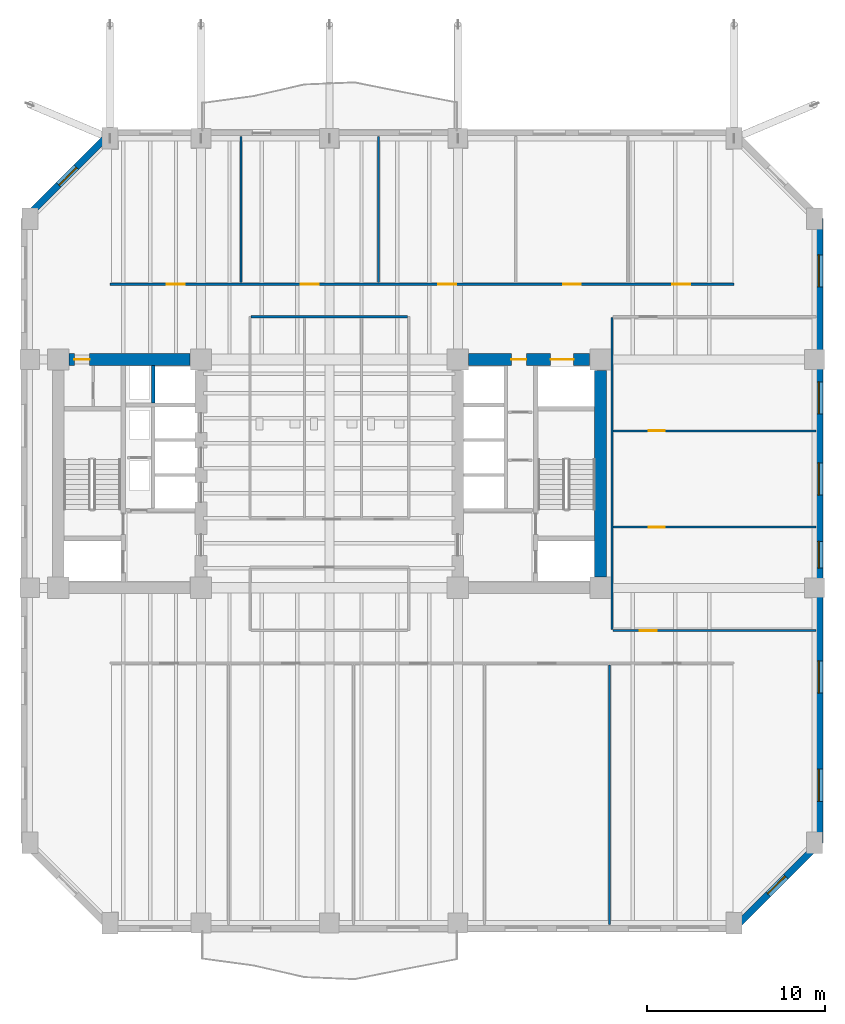
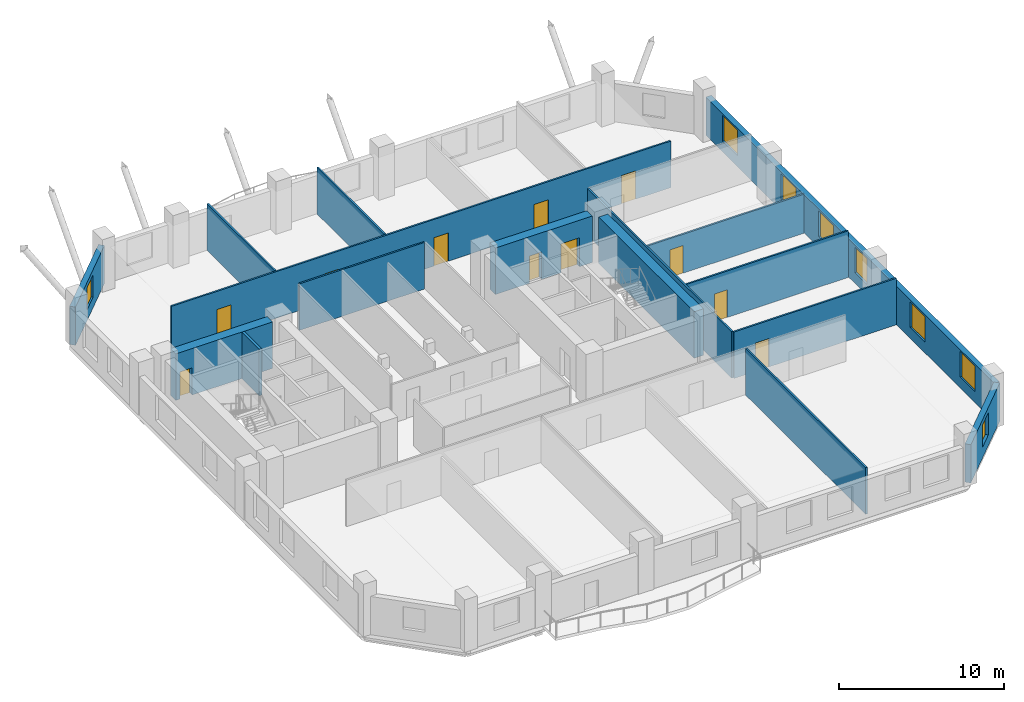
# One storey, part 7 of 12: 16 walls, 11 doors, 8 windows, 19 openings.
"""IFC4 building model written with IfcOpenShell, lengths in metres."""

from ifc_helpers import new_model, si_unit, direction, frame, frame_2d, origin, place, context, subcontext, project, spatial, rectangle, extrude, material, layer, layer_set, type_object, element, fill, save


model = new_model("IFC4")

# Units and contexts
model_context = context("Model", 3, precision=1e-05, world=origin(), true_north=direction((0.0, 1.0)))
body_context = subcontext(model_context, "Body", "Model", "MODEL_VIEW")
ifc_project = project(units=[si_unit("LENGTHUNIT", "METRE"), si_unit("AREAUNIT", "SQUARE_METRE"), si_unit("VOLUMEUNIT", "CUBIC_METRE"), si_unit("PLANEANGLEUNIT", "RADIAN"), si_unit("MASSUNIT", "GRAM", prefix="KILO")], contexts=[model_context])

# Site, building, storey
site_placement = place(None, origin())
site = spatial("IfcSite", under=ifc_project, at=site_placement, CompositionType="ELEMENT")
building_placement = place(site_placement, origin())
building = spatial("IfcBuilding", under=site, at=building_placement, Name="Kranthara Brick Stack", CompositionType="ELEMENT")
storey_placement = place(building_placement, frame((0.0, 0.0, 67.199951171875)))
storey = spatial("IfcBuildingStorey", under=building, at=storey_placement, Name="L16", CompositionType="ELEMENT", Elevation=67.199951171875)

# Wall, opening, window
ifc_material_1 = material(Name="Kiln-fired clay brick masonry M15", Category="masonry")
ifc_layer_1 = layer(ifc_material_1, 0.3798828125)
ifc_layer_set_1 = layer_set([ifc_layer_1], Name="Kiln-fired clay brick masonry M15")
wall_type_1 = type_object("IfcWallType", Name="WL-BRK-PIER-380", PredefinedType="STANDARD", material=ifc_layer_set_1)
wall_1_placement = place(storey_placement, frame((10.909912109375, 41.5, 0.0), z_axis=(0.0, 0.0, 1.0), x_axis=(0.707106781187, 0.707106781187, 0.0)))
wall_1 = element("IfcWall", 1, at=wall_1_placement, inside=storey, type_object=wall_type_1, Name="L16 Exterior Brick Facade Wall NW 1", PredefinedType="STANDARD", context=body_context, shape_type="SweptSolid", body=[
    extrude(rectangle(XDim=6.774169921875, YDim=0.3798828125, at=frame_2d((3.38720703125, 0.0))), origin(), (0.0, 0.0, 1.0), 2.8349609375),
])
opening_1_placement = place(wall_1_placement, frame((2.68701171875, 0.0, 0.800048828125)))
opening_1 = element("IfcOpeningElement", 2, at=opening_1_placement, cuts=wall_1, Name="Opening WN10", PredefinedType="OPENING", context=body_context, shape_type="SweptSolid", body=[
    extrude(rectangle(XDim=1.39990234375, YDim=1.64990234375, at=frame_2d((0.699951171875, 0.824951171875))), frame((0.0, 0.199951171875, 0.0), z_axis=(0.0, -1.0, 0.0), x_axis=(1.0, 0.0, 0.0)), (0.0, 0.0, 1.0), 0.39990234375),
])
ifc_material_2 = material(Name="Double-glazed low-E solar control glass", Category="glass")
window_type_1 = type_object("IfcWindowType", Name="WN-CHM-1400x1750", PartitioningType="SINGLE_PANEL", PredefinedType="WINDOW", material=ifc_material_2)
window_1_placement = place(opening_1_placement, origin())
window_1 = element("IfcWindow", 3, at=window_1_placement, inside=storey, type_object=window_type_1, Name="L16 NW Chamfer Corner Window", OverallHeight=1.64990234375, OverallWidth=1.39990234375, PartitioningType="SINGLE_PANEL", PredefinedType="WINDOW", context=body_context, shape_type="SweptSolid", body=[
    extrude(rectangle(XDim=1.39990234375, YDim=1.64990234375, at=frame_2d((0.699951171875, 0.824951171875))), frame((0.0, -0.010009765625, 0.0), z_axis=(0.0, -1.0, 0.0), x_axis=(1.0, 0.0, 0.0)), (0.0, 0.0, 1.0), 0.06005859375),
])
fill(opening_1, window_1)

# Wall, openings, windows
wall_2_placement = place(storey_placement, frame((55.489990234375, 41.5, 0.0), z_axis=(0.0, 0.0, 1.0), x_axis=(0.0, -1.0, 0.0)))
wall_2 = element("IfcWall", 4, at=wall_2_placement, inside=storey, type_object=wall_type_1, Name="L16 Exterior Brick Facade Wall EAST 1", PredefinedType="STANDARD", context=body_context, shape_type="SweptSolid", body=[
    extrude(rectangle(XDim=35.0, YDim=0.3798828125, at=frame_2d((17.5, 0.0))), origin(), (0.0, 0.0, 1.0), 2.8349609375),
])
opening_2_placement = place(wall_2_placement, frame((2.02490234375, 0.0, 0.800048828125)))
opening_2 = element("IfcOpeningElement", 5, at=opening_2_placement, cuts=wall_2, Name="Opening WN01", PredefinedType="OPENING", context=body_context, shape_type="SweptSolid", body=[
    extrude(rectangle(XDim=1.800048828125, YDim=1.89990234375, at=frame_2d((0.89990234375, 0.949951171875))), frame((0.0, 0.199951171875, 0.0), z_axis=(0.0, -1.0, 0.0), x_axis=(1.0, 0.0, 0.0)), (0.0, 0.0, 1.0), 0.39990234375),
])
opening_3_placement = place(wall_2_placement, frame((9.14990234375, 0.0, 0.800048828125)))
opening_3 = element("IfcOpeningElement", 6, at=opening_3_placement, cuts=wall_2, Name="Opening WN01", PredefinedType="OPENING", context=body_context, shape_type="SweptSolid", body=[
    extrude(rectangle(XDim=1.800048828125, YDim=1.89990234375, at=frame_2d((0.89990234375, 0.949951171875))), frame((0.0, 0.199951171875, 0.0), z_axis=(0.0, -1.0, 0.0), x_axis=(1.0, 0.0, 0.0)), (0.0, 0.0, 1.0), 0.39990234375),
])
opening_4_placement = place(wall_2_placement, frame((13.699951171875, 0.0, 0.800048828125)))
opening_4 = element("IfcOpeningElement", 7, at=opening_4_placement, cuts=wall_2, Name="Opening WN01", PredefinedType="OPENING", context=body_context, shape_type="SweptSolid", body=[
    extrude(rectangle(XDim=1.800048828125, YDim=1.89990234375, at=frame_2d((0.89990234375, 0.949951171875))), frame((0.0, 0.199951171875, 0.0), z_axis=(0.0, -1.0, 0.0), x_axis=(1.0, 0.0, 0.0)), (0.0, 0.0, 1.0), 0.39990234375),
])
opening_5_placement = place(wall_2_placement, frame((18.10009765625, 0.0, 0.800048828125)))
opening_5 = element("IfcOpeningElement", 8, at=opening_5_placement, cuts=wall_2, Name="Opening WN03", PredefinedType="OPENING", context=body_context, shape_type="SweptSolid", body=[
    extrude(rectangle(XDim=1.5, YDim=1.89990234375, at=frame_2d((0.75, 0.949951171875))), frame((0.0, 0.199951171875, 0.0), z_axis=(0.0, -1.0, 0.0), x_axis=(1.0, 0.0, 0.0)), (0.0, 0.0, 1.0), 0.39990234375),
])
opening_6_placement = place(wall_2_placement, frame((24.800048828125, 0.0, 0.800048828125)))
opening_6 = element("IfcOpeningElement", 9, at=opening_6_placement, cuts=wall_2, Name="Opening WN01", PredefinedType="OPENING", context=body_context, shape_type="SweptSolid", body=[
    extrude(rectangle(XDim=1.800048828125, YDim=1.89990234375, at=frame_2d((0.89990234375, 0.949951171875))), frame((0.0, 0.199951171875, 0.0), z_axis=(0.0, -1.0, 0.0), x_axis=(1.0, 0.0, 0.0)), (0.0, 0.0, 1.0), 0.39990234375),
])
opening_7_placement = place(wall_2_placement, frame((30.875, 0.0, 0.800048828125)))
opening_7 = element("IfcOpeningElement", 10, at=opening_7_placement, cuts=wall_2, Name="Opening WN01", PredefinedType="OPENING", context=body_context, shape_type="SweptSolid", body=[
    extrude(rectangle(XDim=1.800048828125, YDim=1.89990234375, at=frame_2d((0.89990234375, 0.949951171875))), frame((0.0, 0.199951171875, 0.0), z_axis=(0.0, -1.0, 0.0), x_axis=(1.0, 0.0, 0.0)), (0.0, 0.0, 1.0), 0.39990234375),
])
ifc_material_3 = material(Name="Double-glazed low-E solar control glass", Category="glass")
window_type_2 = type_object("IfcWindowType", Name="WN-OFF-1500x2000", PartitioningType="SINGLE_PANEL", PredefinedType="WINDOW", material=ifc_material_3)
window_2_placement = place(opening_5_placement, origin())
window_2 = element("IfcWindow", 11, at=window_2_placement, inside=storey, type_object=window_type_2, Name="L16 East Deep-Set Brick Window 04", OverallHeight=1.89990234375, OverallWidth=1.5, PartitioningType="SINGLE_PANEL", PredefinedType="WINDOW", context=body_context, shape_type="SweptSolid", body=[
    extrude(rectangle(XDim=1.5, YDim=1.89990234375, at=frame_2d((0.75, 0.949951171875))), frame((0.0, -0.010009765625, 0.0), z_axis=(0.0, -1.0, 0.0), x_axis=(1.0, 0.0, 0.0)), (0.0, 0.0, 1.0), 0.06005859375),
])
fill(opening_5, window_2)
ifc_material_4 = material(Name="Double-glazed low-E solar control glass", Category="glass")
window_type_3 = type_object("IfcWindowType", Name="WN-OFF-1800x2000", PartitioningType="SINGLE_PANEL", PredefinedType="WINDOW", material=ifc_material_4)
window_3_placement = place(opening_2_placement, origin())
window_3 = element("IfcWindow", 12, at=window_3_placement, inside=storey, type_object=window_type_3, Name="L16 East Deep-Set Brick Window 01", OverallHeight=1.89990234375, OverallWidth=1.800048828125, PartitioningType="SINGLE_PANEL", PredefinedType="WINDOW", context=body_context, shape_type="SweptSolid", body=[
    extrude(rectangle(XDim=1.800048828125, YDim=1.89990234375, at=frame_2d((0.89990234375, 0.949951171875))), frame((0.0, -0.010009765625, 0.0), z_axis=(0.0, -1.0, 0.0), x_axis=(1.0, 0.0, 0.0)), (0.0, 0.0, 1.0), 0.06005859375),
])
fill(opening_2, window_3)
window_4_placement = place(opening_3_placement, origin())
window_4 = element("IfcWindow", 13, at=window_4_placement, inside=storey, type_object=window_type_3, Name="L16 East Deep-Set Brick Window 02", OverallHeight=1.89990234375, OverallWidth=1.800048828125, PartitioningType="SINGLE_PANEL", PredefinedType="WINDOW", context=body_context, shape_type="SweptSolid", body=[
    extrude(rectangle(XDim=1.800048828125, YDim=1.89990234375, at=frame_2d((0.89990234375, 0.949951171875))), frame((0.0, -0.010009765625, 0.0), z_axis=(0.0, -1.0, 0.0), x_axis=(1.0, 0.0, 0.0)), (0.0, 0.0, 1.0), 0.06005859375),
])
fill(opening_3, window_4)
window_5_placement = place(opening_4_placement, origin())
window_5 = element("IfcWindow", 14, at=window_5_placement, inside=storey, type_object=window_type_3, Name="L16 East Deep-Set Brick Window 03", OverallHeight=1.89990234375, OverallWidth=1.800048828125, PartitioningType="SINGLE_PANEL", PredefinedType="WINDOW", context=body_context, shape_type="SweptSolid", body=[
    extrude(rectangle(XDim=1.800048828125, YDim=1.89990234375, at=frame_2d((0.89990234375, 0.949951171875))), frame((0.0, -0.010009765625, 0.0), z_axis=(0.0, -1.0, 0.0), x_axis=(1.0, 0.0, 0.0)), (0.0, 0.0, 1.0), 0.06005859375),
])
fill(opening_4, window_5)
window_6_placement = place(opening_6_placement, origin())
window_6 = element("IfcWindow", 15, at=window_6_placement, inside=storey, type_object=window_type_3, Name="L16 East Deep-Set Brick Window 05", OverallHeight=1.89990234375, OverallWidth=1.800048828125, PartitioningType="SINGLE_PANEL", PredefinedType="WINDOW", context=body_context, shape_type="SweptSolid", body=[
    extrude(rectangle(XDim=1.800048828125, YDim=1.89990234375, at=frame_2d((0.89990234375, 0.949951171875))), frame((0.0, -0.010009765625, 0.0), z_axis=(0.0, -1.0, 0.0), x_axis=(1.0, 0.0, 0.0)), (0.0, 0.0, 1.0), 0.06005859375),
])
fill(opening_6, window_6)
window_7_placement = place(opening_7_placement, origin())
window_7 = element("IfcWindow", 16, at=window_7_placement, inside=storey, type_object=window_type_3, Name="L16 East Deep-Set Brick Window 06", OverallHeight=1.89990234375, OverallWidth=1.800048828125, PartitioningType="SINGLE_PANEL", PredefinedType="WINDOW", context=body_context, shape_type="SweptSolid", body=[
    extrude(rectangle(XDim=1.800048828125, YDim=1.89990234375, at=frame_2d((0.89990234375, 0.949951171875))), frame((0.0, -0.010009765625, 0.0), z_axis=(0.0, -1.0, 0.0), x_axis=(1.0, 0.0, 0.0)), (0.0, 0.0, 1.0), 0.06005859375),
])
fill(opening_7, window_7)

# Wall, opening, window
wall_3_placement = place(storey_placement, frame((55.489990234375, 6.5, 0.0), z_axis=(0.0, 0.0, 1.0), x_axis=(-0.707106781187, -0.707106781187, 0.0)))
wall_3 = element("IfcWall", 17, at=wall_3_placement, inside=storey, type_object=wall_type_1, Name="L16 Exterior Brick Facade Wall SE 1", PredefinedType="STANDARD", context=body_context, shape_type="SweptSolid", body=[
    extrude(rectangle(XDim=6.774169921875, YDim=0.3798828125, at=frame_2d((3.38720703125, 0.0))), origin(), (0.0, 0.0, 1.0), 2.8349609375),
])
opening_8_placement = place(wall_3_placement, frame((2.68701171875, 0.0, 0.800048828125)))
opening_8 = element("IfcOpeningElement", 18, at=opening_8_placement, cuts=wall_3, Name="Opening WN10", PredefinedType="OPENING", context=body_context, shape_type="SweptSolid", body=[
    extrude(rectangle(XDim=1.39990234375, YDim=1.64990234375, at=frame_2d((0.699951171875, 0.824951171875))), frame((0.0, 0.199951171875, 0.0), z_axis=(0.0, -1.0, 0.0), x_axis=(1.0, 0.0, 0.0)), (0.0, 0.0, 1.0), 0.39990234375),
])
window_8_placement = place(opening_8_placement, origin())
window_8 = element("IfcWindow", 19, at=window_8_placement, inside=storey, type_object=window_type_1, Name="L16 SE Chamfer Corner Window", OverallHeight=1.64990234375, OverallWidth=1.39990234375, PartitioningType="SINGLE_PANEL", PredefinedType="WINDOW", context=body_context, shape_type="SweptSolid", body=[
    extrude(rectangle(XDim=1.39990234375, YDim=1.64990234375, at=frame_2d((0.699951171875, 0.824951171875))), frame((0.0, -0.010009765625, 0.0), z_axis=(0.0, -1.0, 0.0), x_axis=(1.0, 0.0, 0.0)), (0.0, 0.0, 1.0), 0.06005859375),
])
fill(opening_8, window_8)

# Wall, opening, door
ifc_material_5 = material(Name="Concrete C60/75", Category="concrete")
ifc_layer_2 = layer(ifc_material_5, 0.64990234375)
ifc_layer_set_2 = layer_set([ifc_layer_2], Name="Concrete C60/75")
wall_type_2 = type_object("IfcWallType", Name="WL-CORE-650", PredefinedType="SHEAR", material=ifc_layer_set_2)
wall_4_placement = place(storey_placement, frame((13.405029296875, 33.60009765625, 0.0), z_axis=(0.0, 0.0, 1.0), x_axis=(1.0, 0.0, 0.0)))
wall_4 = element("IfcWall", 20, at=wall_4_placement, inside=storey, type_object=wall_type_2, Name="L16 West Core Shear Wall North", PredefinedType="SHEAR", context=body_context, shape_type="SweptSolid", body=[
    extrude(rectangle(XDim=6.7900390625, YDim=0.64990234375, at=frame_2d((3.39501953125, 0.0))), origin(), (0.0, 0.0, 1.0), 3.449951171875),
])
opening_9_placement = place(wall_4_placement, frame((0.294921875, 0.0, 0.0)))
opening_9 = element("IfcOpeningElement", 21, at=opening_9_placement, cuts=wall_4, Name="Opening D10", PredefinedType="OPENING", context=body_context, shape_type="SweptSolid", body=[
    extrude(rectangle(XDim=0.85009765625, YDim=2.02001953125, at=frame_2d((0.425048828125, 1.010009765625))), frame((0.0, 0.3349609375, 0.0), z_axis=(0.0, -1.0, 0.0), x_axis=(1.0, 0.0, 0.0)), (0.0, 0.0, 1.0), 0.669921875),
])
ifc_material_6 = material(Name="Solid-core hardwood timber leaf in steel frame", Category="steel")
door_type_1 = type_object("IfcDoorType", Name="DR-RSR-850", OperationType="NOTDEFINED", PredefinedType="DOOR", material=ifc_material_6)
door_1_placement = place(opening_9_placement, origin())
door_1 = element("IfcDoor", 22, at=door_1_placement, inside=storey, type_object=door_type_1, Name="L16 West Core Service Door 1", OperationType="SINGLE_SWING_LEFT", OverallHeight=2.02001953125, OverallWidth=0.85009765625, PredefinedType="DOOR", context=body_context, shape_type="SweptSolid", body=[
    extrude(rectangle(XDim=0.85009765625, YDim=2.02001953125, at=frame_2d((0.425048828125, 1.010009765625))), frame((0.0, 0.02490234375, 0.0), z_axis=(0.0, -1.0, 0.0), x_axis=(1.0, 0.0, 0.0)), (0.0, 0.0, 1.0), 0.050048828125),
])
fill(opening_9, door_1)

# Wall
wall_5_placement = place(storey_placement, frame((43.199951171875, 21.405029296875, 0.0), z_axis=(0.0, 0.0, 1.0), x_axis=(0.0, 1.0, 0.0)))
element("IfcWall", 23, at=wall_5_placement, inside=storey, type_object=wall_type_2, Name="L16 East Core Shear Wall East", PredefinedType="SHEAR", context=body_context, shape_type="SweptSolid", body=[
    extrude(rectangle(XDim=11.590087890625, YDim=0.64990234375, at=frame_2d((5.794921875, 0.0))), origin(), (0.0, 0.0, 1.0), 3.449951171875),
])

# Wall, openings, doors
wall_6_placement = place(storey_placement, frame((35.804931640625, 33.60009765625, 0.0), z_axis=(0.0, 0.0, 1.0), x_axis=(1.0, 0.0, 0.0)))
wall_6 = element("IfcWall", 24, at=wall_6_placement, inside=storey, type_object=wall_type_2, Name="L16 East Core Shear Wall North", PredefinedType="SHEAR", context=body_context, shape_type="SweptSolid", body=[
    extrude(rectangle(XDim=6.7900390625, YDim=0.64990234375, at=frame_2d((3.39501953125, 0.0))), origin(), (0.0, 0.0, 1.0), 3.449951171875),
])
opening_10_placement = place(wall_6_placement, frame((4.594970703125, 0.0, 0.0)))
opening_10 = element("IfcOpeningElement", 25, at=opening_10_placement, cuts=wall_6, Name="Opening LD03", PredefinedType="OPENING", context=body_context, shape_type="SweptSolid", body=[
    extrude(rectangle(XDim=1.300048828125, YDim=2.14990234375, at=frame_2d((0.64990234375, 1.074951171875))), frame((0.0, 0.3349609375, 0.0), z_axis=(0.0, -1.0, 0.0), x_axis=(1.0, 0.0, 0.0)), (0.0, 0.0, 1.0), 0.669921875),
])
opening_11_placement = place(wall_6_placement, frame((2.39501953125, 0.0, 0.0)))
opening_11 = element("IfcOpeningElement", 26, at=opening_11_placement, cuts=wall_6, Name="Opening D10", PredefinedType="OPENING", context=body_context, shape_type="SweptSolid", body=[
    extrude(rectangle(XDim=0.85009765625, YDim=2.02001953125, at=frame_2d((0.425048828125, 1.010009765625))), frame((0.0, 0.3349609375, 0.0), z_axis=(0.0, -1.0, 0.0), x_axis=(1.0, 0.0, 0.0)), (0.0, 0.0, 1.0), 0.669921875),
])
ifc_material_7 = material(Name="Stainless steel sliding landing door", Category="steel")
door_type_2 = type_object("IfcDoorType", Name="DR-LD-SV1300", OperationType="DOUBLE_DOOR_SLIDING", PredefinedType="DOOR", material=ifc_material_7)
door_2_placement = place(opening_10_placement, origin())
door_2 = element("IfcDoor", 27, at=door_2_placement, inside=storey, type_object=door_type_2, Name="L16 Stretcher Service Lift SV-01 Landing Door", OperationType="DOUBLE_DOOR_SLIDING", OverallHeight=2.14990234375, OverallWidth=1.300048828125, PredefinedType="DOOR", context=body_context, shape_type="SweptSolid", body=[
    extrude(rectangle(XDim=1.300048828125, YDim=2.14990234375, at=frame_2d((0.64990234375, 1.074951171875))), frame((0.0, 0.02490234375, 0.0), z_axis=(0.0, -1.0, 0.0), x_axis=(1.0, 0.0, 0.0)), (0.0, 0.0, 1.0), 0.050048828125),
])
fill(opening_10, door_2)
door_3_placement = place(opening_11_placement, origin())
door_3 = element("IfcDoor", 28, at=door_3_placement, inside=storey, type_object=door_type_1, Name="L16 East Core Service Room Door", OperationType="SINGLE_SWING_LEFT", OverallHeight=2.02001953125, OverallWidth=0.85009765625, PredefinedType="DOOR", context=body_context, shape_type="SweptSolid", body=[
    extrude(rectangle(XDim=0.85009765625, YDim=2.02001953125, at=frame_2d((0.425048828125, 1.010009765625))), frame((0.0, 0.02490234375, 0.0), z_axis=(0.0, -1.0, 0.0), x_axis=(1.0, 0.0, 0.0)), (0.0, 0.0, 1.0), 0.050048828125),
])
fill(opening_11, door_3)

# Walls
ifc_material_8 = material(Name="Acoustic gypsum plasterboard partition", Category="other")
ifc_layer_3 = layer(ifc_material_8, 0.1201171875)
ifc_layer_set_3 = layer_set([ifc_layer_3], Name="Acoustic gypsum plasterboard partition")
wall_type_3 = type_object("IfcWallType", Name="WL-PART-120", PredefinedType="PARTITIONING", material=ifc_layer_set_3)
wall_7_placement = place(storey_placement, frame((23.614990234375, 36.0, 0.0), z_axis=(0.0, 0.0, 1.0), x_axis=(1.0, 0.0, 0.0)))
element("IfcWall", 29, at=wall_7_placement, inside=storey, type_object=wall_type_3, Name="L16 Interior Partition 010", PredefinedType="PARTITIONING", context=body_context, shape_type="SweptSolid", body=[
    extrude(rectangle(XDim=8.77001953125, YDim=0.1201171875, at=frame_2d((4.385009765625, 0.0))), origin(), (0.0, 0.0, 1.0), 3.449951171875),
])
wall_8_placement = place(storey_placement, frame((43.699951171875, 1.905029296875, 0.0), z_axis=(0.0, 0.0, 1.0), x_axis=(0.0, 1.0, 0.0)))
element("IfcWall", 30, at=wall_8_placement, inside=storey, type_object=wall_type_3, Name="L16 Interior Partition 019", PredefinedType="PARTITIONING", context=body_context, shape_type="SweptSolid", body=[
    extrude(rectangle(XDim=14.574951171875, YDim=0.1201171875, at=frame_2d((7.28759765625, 0.0))), origin(), (0.0, 0.0, 1.0), 3.449951171875),
])

# Wall, openings, doors
wall_9_placement = place(storey_placement, frame((15.699951171875, 37.820068359375, 0.0), z_axis=(0.0, 0.0, 1.0), x_axis=(1.0, 0.0, 0.0)))
wall_9 = element("IfcWall", 31, at=wall_9_placement, inside=storey, type_object=wall_type_3, Name="L16 Interior Partition 020", PredefinedType="PARTITIONING", context=body_context, shape_type="SweptSolid", body=[
    extrude(rectangle(XDim=35.0, YDim=0.1201171875, at=frame_2d((17.5, 0.0))), origin(), (0.0, 0.0, 1.0), 3.449951171875),
])
opening_12_placement = place(wall_9_placement, frame((3.175048828125, 0.0, 0.0)))
opening_12 = element("IfcOpeningElement", 32, at=opening_12_placement, cuts=wall_9, Name="Opening D13", PredefinedType="OPENING", context=body_context, shape_type="SweptSolid", body=[
    extrude(rectangle(XDim=1.0, YDim=2.10009765625, at=frame_2d((0.5, 1.050048828125))), frame((0.0, 0.070068359375, 0.0), z_axis=(0.0, -1.0, 0.0), x_axis=(1.0, 0.0, 0.0)), (0.0, 0.0, 1.0), 0.14013671875),
])
opening_13_placement = place(wall_9_placement, frame((10.699951171875, 0.0, 0.0)))
opening_13 = element("IfcOpeningElement", 33, at=opening_13_placement, cuts=wall_9, Name="Opening D13", PredefinedType="OPENING", context=body_context, shape_type="SweptSolid", body=[
    extrude(rectangle(XDim=1.0, YDim=2.10009765625, at=frame_2d((0.5, 1.050048828125))), frame((0.0, 0.070068359375, 0.0), z_axis=(0.0, -1.0, 0.0), x_axis=(1.0, 0.0, 0.0)), (0.0, 0.0, 1.0), 0.14013671875),
])
opening_14_placement = place(wall_9_placement, frame((18.39990234375, 0.0, 0.0)))
opening_14 = element("IfcOpeningElement", 34, at=opening_14_placement, cuts=wall_9, Name="Opening D13", PredefinedType="OPENING", context=body_context, shape_type="SweptSolid", body=[
    extrude(rectangle(XDim=1.0, YDim=2.10009765625, at=frame_2d((0.5, 1.050048828125))), frame((0.0, 0.070068359375, 0.0), z_axis=(0.0, -1.0, 0.0), x_axis=(1.0, 0.0, 0.0)), (0.0, 0.0, 1.0), 0.14013671875),
])
opening_15_placement = place(wall_9_placement, frame((25.39990234375, 0.0, 0.0)))
opening_15 = element("IfcOpeningElement", 35, at=opening_15_placement, cuts=wall_9, Name="Opening D13", PredefinedType="OPENING", context=body_context, shape_type="SweptSolid", body=[
    extrude(rectangle(XDim=1.0, YDim=2.10009765625, at=frame_2d((0.5, 1.050048828125))), frame((0.0, 0.070068359375, 0.0), z_axis=(0.0, -1.0, 0.0), x_axis=(1.0, 0.0, 0.0)), (0.0, 0.0, 1.0), 0.14013671875),
])
opening_16_placement = place(wall_9_placement, frame((31.52490234375, 0.0, 0.0)))
opening_16 = element("IfcOpeningElement", 36, at=opening_16_placement, cuts=wall_9, Name="Opening D13", PredefinedType="OPENING", context=body_context, shape_type="SweptSolid", body=[
    extrude(rectangle(XDim=1.0, YDim=2.10009765625, at=frame_2d((0.5, 1.050048828125))), frame((0.0, 0.070068359375, 0.0), z_axis=(0.0, -1.0, 0.0), x_axis=(1.0, 0.0, 0.0)), (0.0, 0.0, 1.0), 0.14013671875),
])
ifc_material_9 = material(Name="Solid-core hardwood timber leaf in steel frame", Category="steel")
door_type_3 = type_object("IfcDoorType", Name="DR-INT-1000", OperationType="NOTDEFINED", PredefinedType="DOOR", material=ifc_material_9)
door_4_placement = place(opening_12_placement, origin())
door_4 = element("IfcDoor", 37, at=door_4_placement, inside=storey, type_object=door_type_3, Name="L16 Meeting Room 14", OperationType="SINGLE_SWING_RIGHT", OverallHeight=2.10009765625, OverallWidth=1.0, PredefinedType="DOOR", context=body_context, shape_type="SweptSolid", body=[
    extrude(rectangle(XDim=1.0, YDim=2.10009765625, at=frame_2d((0.5, 1.050048828125))), frame((0.0, 0.02490234375, 0.0), z_axis=(0.0, -1.0, 0.0), x_axis=(1.0, 0.0, 0.0)), (0.0, 0.0, 1.0), 0.050048828125),
])
fill(opening_12, door_4)
door_5_placement = place(opening_13_placement, origin())
door_5 = element("IfcDoor", 38, at=door_5_placement, inside=storey, type_object=door_type_3, Name="L16 Meeting Room 15", OperationType="SINGLE_SWING_LEFT", OverallHeight=2.10009765625, OverallWidth=1.0, PredefinedType="DOOR", context=body_context, shape_type="SweptSolid", body=[
    extrude(rectangle(XDim=1.0, YDim=2.10009765625, at=frame_2d((0.5, 1.050048828125))), frame((0.0, 0.02490234375, 0.0), z_axis=(0.0, -1.0, 0.0), x_axis=(1.0, 0.0, 0.0)), (0.0, 0.0, 1.0), 0.050048828125),
])
fill(opening_13, door_5)
door_6_placement = place(opening_14_placement, origin())
door_6 = element("IfcDoor", 39, at=door_6_placement, inside=storey, type_object=door_type_3, Name="L16 Meeting Room 16", OperationType="SINGLE_SWING_RIGHT", OverallHeight=2.10009765625, OverallWidth=1.0, PredefinedType="DOOR", context=body_context, shape_type="SweptSolid", body=[
    extrude(rectangle(XDim=1.0, YDim=2.10009765625, at=frame_2d((0.5, 1.050048828125))), frame((0.0, 0.02490234375, 0.0), z_axis=(0.0, -1.0, 0.0), x_axis=(1.0, 0.0, 0.0)), (0.0, 0.0, 1.0), 0.050048828125),
])
fill(opening_14, door_6)
door_7_placement = place(opening_15_placement, origin())
door_7 = element("IfcDoor", 40, at=door_7_placement, inside=storey, type_object=door_type_3, Name="L16 Boardroom 17", OperationType="SINGLE_SWING_LEFT", OverallHeight=2.10009765625, OverallWidth=1.0, PredefinedType="DOOR", context=body_context, shape_type="SweptSolid", body=[
    extrude(rectangle(XDim=1.0, YDim=2.10009765625, at=frame_2d((0.5, 1.050048828125))), frame((0.0, 0.02490234375, 0.0), z_axis=(0.0, -1.0, 0.0), x_axis=(1.0, 0.0, 0.0)), (0.0, 0.0, 1.0), 0.050048828125),
])
fill(opening_15, door_7)
door_8_placement = place(opening_16_placement, origin())
door_8 = element("IfcDoor", 41, at=door_8_placement, inside=storey, type_object=door_type_3, Name="L16 Staff Pantry 18", OperationType="SINGLE_SWING_RIGHT", OverallHeight=2.10009765625, OverallWidth=1.0, PredefinedType="DOOR", context=body_context, shape_type="SweptSolid", body=[
    extrude(rectangle(XDim=1.0, YDim=2.10009765625, at=frame_2d((0.5, 1.050048828125))), frame((0.0, 0.02490234375, 0.0), z_axis=(0.0, -1.0, 0.0), x_axis=(1.0, 0.0, 0.0)), (0.0, 0.0, 1.0), 0.050048828125),
])
fill(opening_16, door_8)

# Walls
for number, where, z_axis, x_axis, name in (
    (42, (23.050048828125, 37.919921875, 0.0), (0.0, 0.0, 1.0), (0.0, 1.0, 0.0), "L16 Interior Partition 021"),
    (43, (30.75, 37.919921875, 0.0), (0.0, 0.0, 1.0), (0.0, 1.0, 0.0), "L16 Interior Partition 022"),
):
    element("IfcWall", number, at=place(storey_placement, frame(where, z_axis=z_axis, x_axis=x_axis)), inside=storey, type_object=wall_type_3, Name=name, PredefinedType="PARTITIONING", context=body_context, shape_type="SweptSolid", body=[
        extrude(rectangle(XDim=8.175048828125, YDim=0.1201171875, at=frame_2d((4.08740234375, 0.0))), origin(), (0.0, 0.0, 1.0), 3.449951171875),
    ])
wall_10_placement = place(storey_placement, frame((43.85009765625, 18.449951171875, 0.0), z_axis=(0.0, 0.0, 1.0), x_axis=(0.0, 1.0, 0.0)))
element("IfcWall", 44, at=wall_10_placement, inside=storey, type_object=wall_type_3, Name="L16 Interior Partition 025", PredefinedType="PARTITIONING", context=body_context, shape_type="SweptSolid", body=[
    extrude(rectangle(XDim=17.5, YDim=0.1201171875, at=frame_2d((8.75, 0.0))), origin(), (0.0, 0.0, 1.0), 3.449951171875),
])

# Wall, opening, door
wall_11_placement = place(storey_placement, frame((43.9150390625, 18.39990234375, 0.0), z_axis=(0.0, 0.0, 1.0), x_axis=(1.0, 0.0, 0.0)))
wall_11 = element("IfcWall", 45, at=wall_11_placement, inside=storey, type_object=wall_type_3, Name="L16 Interior Partition 026", PredefinedType="PARTITIONING", context=body_context, shape_type="SweptSolid", body=[
    extrude(rectangle(XDim=11.3798828125, YDim=0.1201171875, at=frame_2d((5.68994140625, 0.0))), origin(), (0.0, 0.0, 1.0), 3.449951171875),
])
opening_17_placement = place(wall_11_placement, frame((1.485107421875, 0.0, 0.0)))
opening_17 = element("IfcOpeningElement", 46, at=opening_17_placement, cuts=wall_11, Name="Opening D14", PredefinedType="OPENING", context=body_context, shape_type="SweptSolid", body=[
    extrude(rectangle(XDim=0.949951171875, YDim=2.10009765625, at=frame_2d((0.47509765625, 1.050048828125))), frame((0.0, 0.070068359375, 0.0), z_axis=(0.0, -1.0, 0.0), x_axis=(1.0, 0.0, 0.0)), (0.0, 0.0, 1.0), 0.14013671875),
])
ifc_material_10 = material(Name="Solid-core hardwood timber leaf in steel frame", Category="steel")
door_type_4 = type_object("IfcDoorType", Name="DR-INT-950", OperationType="NOTDEFINED", PredefinedType="DOOR", material=ifc_material_10)
door_9_placement = place(opening_17_placement, origin())
door_9 = element("IfcDoor", 47, at=door_9_placement, inside=storey, type_object=door_type_4, Name="L16 East South Office 21", OperationType="SINGLE_SWING_LEFT", OverallHeight=2.10009765625, OverallWidth=0.949951171875, PredefinedType="DOOR", context=body_context, shape_type="SweptSolid", body=[
    extrude(rectangle(XDim=0.949951171875, YDim=2.10009765625, at=frame_2d((0.47509765625, 1.050048828125))), frame((0.0, 0.02490234375, 0.0), z_axis=(0.0, -1.0, 0.0), x_axis=(1.0, 0.0, 0.0)), (0.0, 0.0, 1.0), 0.050048828125),
])
fill(opening_17, door_9)

wall_12_placement = place(storey_placement, frame((43.9150390625, 24.199951171875, 0.0), z_axis=(0.0, 0.0, 1.0), x_axis=(1.0, 0.0, 0.0)))
wall_12 = element("IfcWall", 48, at=wall_12_placement, inside=storey, type_object=wall_type_3, Name="L16 Interior Partition 028", PredefinedType="PARTITIONING", context=body_context, shape_type="SweptSolid", body=[
    extrude(rectangle(XDim=11.3798828125, YDim=0.1201171875, at=frame_2d((5.68994140625, 0.0))), origin(), (0.0, 0.0, 1.0), 3.449951171875),
])
opening_18_placement = place(wall_12_placement, frame((1.985107421875, 0.0, 0.0)))
opening_18 = element("IfcOpeningElement", 49, at=opening_18_placement, cuts=wall_12, Name="Opening D15", PredefinedType="OPENING", context=body_context, shape_type="SweptSolid", body=[
    extrude(rectangle(XDim=0.89990234375, YDim=2.050048828125, at=frame_2d((0.449951171875, 1.02490234375))), frame((0.0, 0.070068359375, 0.0), z_axis=(0.0, -1.0, 0.0), x_axis=(1.0, 0.0, 0.0)), (0.0, 0.0, 1.0), 0.14013671875),
])
ifc_material_11 = material(Name="Solid-core hardwood timber leaf in steel frame", Category="steel")
door_type_5 = type_object("IfcDoorType", Name="DR-INT-900", OperationType="NOTDEFINED", PredefinedType="DOOR", material=ifc_material_11)
door_10_placement = place(opening_18_placement, origin())
door_10 = element("IfcDoor", 50, at=door_10_placement, inside=storey, type_object=door_type_5, Name="L16 East Inner Suite Door 19", OperationType="SINGLE_SWING_LEFT", OverallHeight=2.050048828125, OverallWidth=0.89990234375, PredefinedType="DOOR", context=body_context, shape_type="SweptSolid", body=[
    extrude(rectangle(XDim=0.89990234375, YDim=2.050048828125, at=frame_2d((0.449951171875, 1.02490234375))), frame((0.0, 0.02490234375, 0.0), z_axis=(0.0, -1.0, 0.0), x_axis=(1.0, 0.0, 0.0)), (0.0, 0.0, 1.0), 0.050048828125),
])
fill(opening_18, door_10)

wall_13_placement = place(storey_placement, frame((43.9150390625, 29.60009765625, 0.0), z_axis=(0.0, 0.0, 1.0), x_axis=(1.0, 0.0, 0.0)))
wall_13 = element("IfcWall", 51, at=wall_13_placement, inside=storey, type_object=wall_type_3, Name="L16 Interior Partition 029", PredefinedType="PARTITIONING", context=body_context, shape_type="SweptSolid", body=[
    extrude(rectangle(XDim=11.3798828125, YDim=0.1201171875, at=frame_2d((5.68994140625, 0.0))), origin(), (0.0, 0.0, 1.0), 2.885009765625),
])
opening_19_placement = place(wall_13_placement, frame((1.985107421875, 0.0, 0.0)))
opening_19 = element("IfcOpeningElement", 52, at=opening_19_placement, cuts=wall_13, Name="Opening D15", PredefinedType="OPENING", context=body_context, shape_type="SweptSolid", body=[
    extrude(rectangle(XDim=0.89990234375, YDim=2.050048828125, at=frame_2d((0.449951171875, 1.02490234375))), frame((0.0, 0.070068359375, 0.0), z_axis=(0.0, -1.0, 0.0), x_axis=(1.0, 0.0, 0.0)), (0.0, 0.0, 1.0), 0.14013671875),
])
door_11_placement = place(opening_19_placement, origin())
door_11 = element("IfcDoor", 53, at=door_11_placement, inside=storey, type_object=door_type_5, Name="L16 East Inner Suite Door 20", OperationType="SINGLE_SWING_RIGHT", OverallHeight=2.050048828125, OverallWidth=0.89990234375, PredefinedType="DOOR", context=body_context, shape_type="SweptSolid", body=[
    extrude(rectangle(XDim=0.89990234375, YDim=2.050048828125, at=frame_2d((0.449951171875, 1.02490234375))), frame((0.0, 0.02490234375, 0.0), z_axis=(0.0, -1.0, 0.0), x_axis=(1.0, 0.0, 0.0)), (0.0, 0.0, 1.0), 0.050048828125),
])
fill(opening_19, door_11)

# Wall
ifc_material_12 = material(Name="Gypsum plasterboard on acoustic twin stud", Category="other")
ifc_layer_4 = layer(ifc_material_12, 0.179931640625)
ifc_layer_set_4 = layer_set([ifc_layer_4], Name="Gypsum plasterboard on acoustic twin stud")
wall_type_4 = type_object("IfcWallType", Name="WL-PART-180", PredefinedType="PARTITIONING", material=ifc_layer_set_4)
wall_14_placement = place(storey_placement, frame((18.1201171875, 31.169921875, 0.0), z_axis=(0.0, 0.0, 1.0), x_axis=(0.0, 1.0, 0.0)))
element("IfcWall", 54, at=wall_14_placement, inside=storey, type_object=wall_type_4, Name="L16 West Hoistway Wall WBK7", PredefinedType="PARTITIONING", context=body_context, shape_type="SweptSolid", body=[
    extrude(rectangle(XDim=2.094970703125, YDim=0.179931640625, at=frame_2d((1.04736328125, 0.0))), origin(), (0.0, 0.0, 1.0), 3.449951171875),
])

save(model, "model.ifc")
